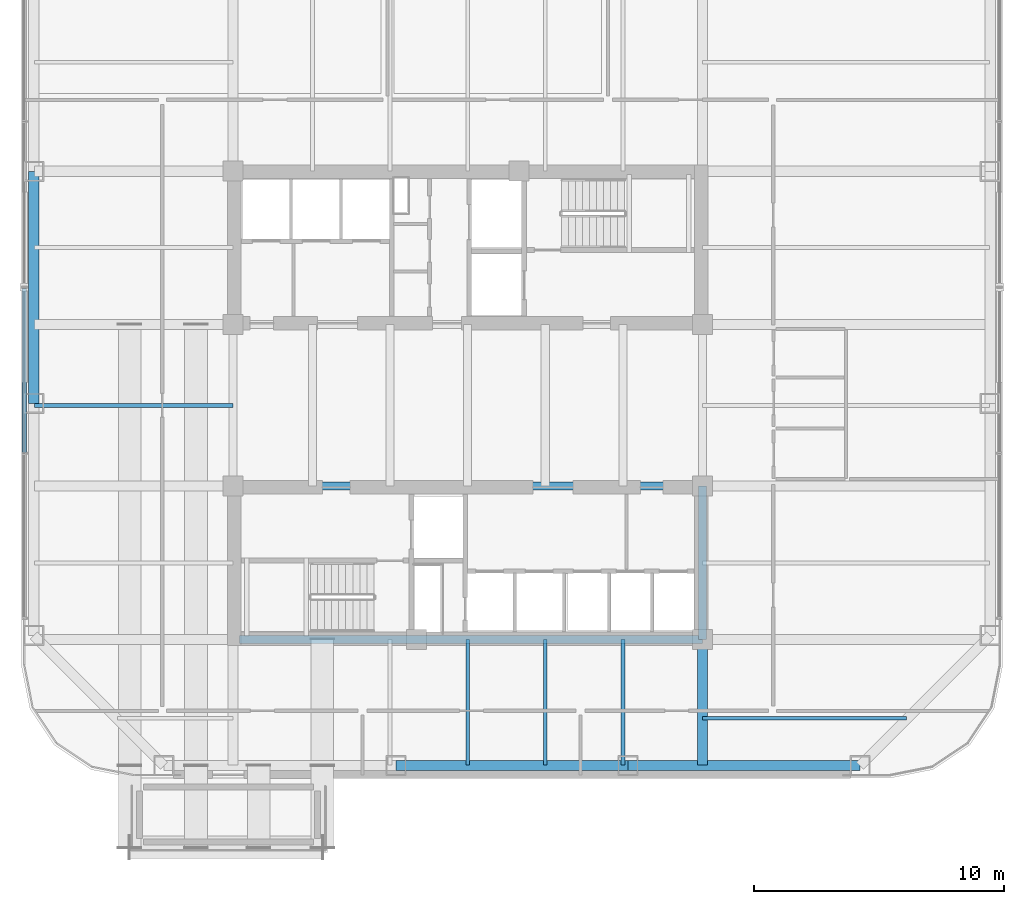
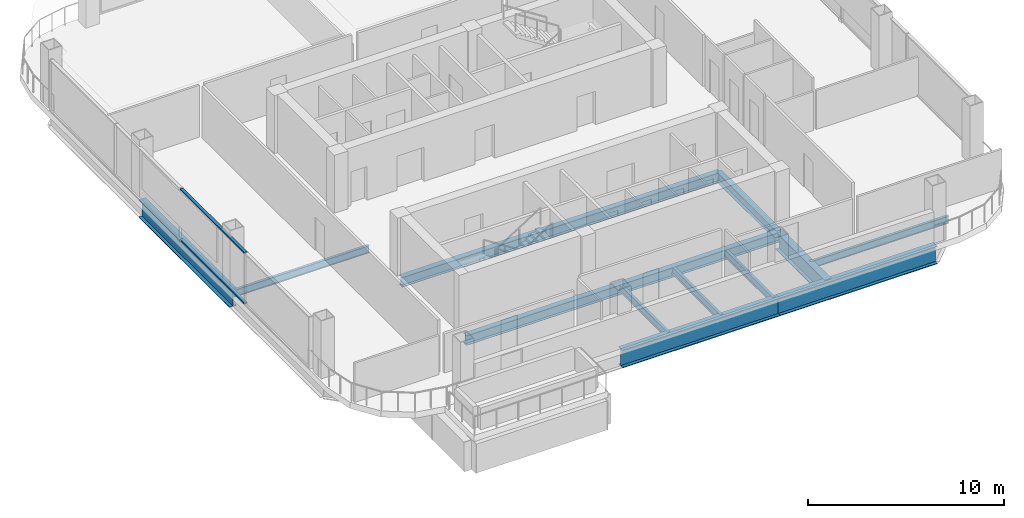
# One storey, part 3 of 20: 12 beams, 2 members, 1 element without a shape of its own.
"""IFC4 building model written with IfcOpenShell, lengths in metres."""

from ifc_helpers import new_model, si_unit, direction, frame, origin, origin_2d, place, context, subcontext, project, spatial, hollow_rectangle, i_section, extrude, material, layer, layer_set, material_profile, profile_set, type_object, element, aggregate, save


model = new_model("IFC4")

# Units and contexts
model_context = context("Model", 3, precision=1e-05, world=origin(), true_north=direction((0.0, 1.0)))
body_context = subcontext(model_context, "Body", "Model", "MODEL_VIEW")
ifc_project = project(units=[si_unit("LENGTHUNIT", "METRE"), si_unit("AREAUNIT", "SQUARE_METRE"), si_unit("VOLUMEUNIT", "CUBIC_METRE"), si_unit("PLANEANGLEUNIT", "RADIAN"), si_unit("MASSUNIT", "GRAM", prefix="KILO")], contexts=[model_context])

# Site, building, storey
site_placement = place(None, origin())
site = spatial("IfcSite", under=ifc_project, at=site_placement, CompositionType="ELEMENT")
building_placement = place(site_placement, origin())
building = spatial("IfcBuilding", under=site, at=building_placement, Name="Qhalaya Broadcast Tower", CompositionType="ELEMENT")
storey_placement = place(building_placement, frame((0.0, 0.0, 104.85009765625)))
storey = spatial("IfcBuildingStorey", under=building, at=storey_placement, Name="L30", CompositionType="ELEMENT", Elevation=104.85009765625)

# Beams
ifc_material_1 = material(Name="Structural Steel ASTM A992 Grade 50", Category="steel")
ifc_material_profile_1 = material_profile(ifc_material_1, i_section(OverallWidth=0.154052734375, OverallDepth=0.458984375, WebThickness=0.009033203125, FlangeThickness=0.015380859375, at=origin_2d()), Name="W18X46")
ifc_profile_set_1 = profile_set([ifc_material_profile_1], Name="Structural Steel ASTM A992 Grade 50")
beam_type_1 = type_object("IfcBeamType", Name="Composite Floor Joist J04", PredefinedType="JOIST", material=ifc_profile_set_1)
for number, where, z_axis, x_axis, name in (
    (1, (0.0, -13.77001953125, -0.609619140625), (0.0, 1.0, 0.0), (-1.0, 0.0, 0.0), "L30 J04 L30-JNS3-1"),
    (2, (3.10009765625, -13.77001953125, -0.609619140625), (0.0, 1.0, 0.0), (-1.0, 0.0, 0.0), "L30 J04 L30-JNS4-1"),
    (3, (6.199951171875, -13.77001953125, -0.609619140625), (0.0, 1.0, 0.0), (-1.0, 0.0, 0.0), "L30 J04 L30-JNS5-1"),
):
    element("IfcBeam", number, at=place(storey_placement, frame(where, z_axis=z_axis, x_axis=x_axis)), inside=storey, type_object=beam_type_1, Name=name, PredefinedType="JOIST", context=body_context, shape_type="SweptSolid", body=[
        extrude(i_section(OverallWidth=0.154052734375, OverallDepth=0.458984375, WebThickness=0.009033203125, FlangeThickness=0.015380859375, at=origin_2d()), origin(), (0.0, 0.0, 1.0), 5.02001953125),
    ])
beam_1_placement = place(storey_placement, frame((9.375, -11.89990234375, -0.609619140625), z_axis=(1.0, 0.0, 0.0), x_axis=(0.0, 1.0, 0.0)))
element("IfcBeam", 4, at=beam_1_placement, inside=storey, type_object=beam_type_1, Name="L30 J04 L30-JWE2E-1", PredefinedType="JOIST", context=body_context, shape_type="SweptSolid", body=[
    extrude(i_section(OverallWidth=0.154052734375, OverallDepth=0.458984375, WebThickness=0.009033203125, FlangeThickness=0.015380859375, at=origin_2d()), origin(), (0.0, 0.0, 1.0), 8.15673828125),
])
beam_2_placement = place(storey_placement, frame((-17.31005859375, 0.60009765625, -0.609619140625), z_axis=(1.0, 0.0, 0.0), x_axis=(0.0, 1.0, 0.0)))
element("IfcBeam", 5, at=beam_2_placement, inside=storey, type_object=beam_type_1, Name="L30 J04 L30-JWE4W-1", PredefinedType="JOIST", context=body_context, shape_type="SweptSolid", body=[
    extrude(i_section(OverallWidth=0.154052734375, OverallDepth=0.458984375, WebThickness=0.009033203125, FlangeThickness=0.015380859375, at=origin_2d()), origin(), (0.0, 0.0, 1.0), 7.93505859375),
])
ifc_material_profile_2 = material_profile(ifc_material_1, i_section(OverallWidth=0.323974609375, OverallDepth=0.612060546875, WebThickness=0.0126953125, FlangeThickness=0.01904296875, at=origin_2d()), Name="W24X104")
ifc_profile_set_2 = profile_set([ifc_material_profile_2], Name="Structural Steel ASTM A992 Grade 50")
beam_type_2 = type_object("IfcBeamType", Name="Core Frame Tie Beam B04", PredefinedType="BEAM", material=ifc_profile_set_2)
beam_3_placement = place(storey_placement, frame((-9.375, -2.625, -0.68603515625), z_axis=(1.0, 0.0, 0.0), x_axis=(0.0, 1.0, 0.0)))
element("IfcBeam", 6, at=beam_3_placement, inside=storey, type_object=beam_type_2, Name="L30 B04 L30-CCS1", PredefinedType="BEAM", context=body_context, shape_type="SweptSolid", body=[
    extrude(i_section(OverallWidth=0.323974609375, OverallDepth=0.612060546875, WebThickness=0.0126953125, FlangeThickness=0.01904296875, at=origin_2d()), origin(), (0.0, 0.0, 1.0), 18.75),
])
beam_4_placement = place(storey_placement, frame((9.375, -8.75, -0.68603515625), z_axis=(0.0, 1.0, 0.0), x_axis=(-1.0, 0.0, 0.0)))
element("IfcBeam", 7, at=beam_4_placement, inside=storey, type_object=beam_type_2, Name="L30 B04 L30-CCS2", PredefinedType="BEAM", context=body_context, shape_type="SweptSolid", body=[
    extrude(i_section(OverallWidth=0.323974609375, OverallDepth=0.612060546875, WebThickness=0.0126953125, FlangeThickness=0.01904296875, at=origin_2d()), origin(), (0.0, 0.0, 1.0), 6.125),
])
beam_5_placement = place(storey_placement, frame((-9.1201171875, -8.75, -0.68603515625), z_axis=(1.0, 0.0, 0.0), x_axis=(0.0, 1.0, 0.0)))
element("IfcBeam", 8, at=beam_5_placement, inside=storey, type_object=beam_type_2, Name="L30 B04 L30-CCS3", PredefinedType="BEAM", context=body_context, shape_type="SweptSolid", body=[
    extrude(i_section(OverallWidth=0.323974609375, OverallDepth=0.612060546875, WebThickness=0.0126953125, FlangeThickness=0.01904296875, at=origin_2d()), origin(), (0.0, 0.0, 1.0), 18.4951171875),
])
ifc_material_profile_3 = material_profile(ifc_material_1, i_section(OverallWidth=0.404052734375, OverallDepth=1.117919921875, WebThickness=0.026123046875, FlangeThickness=0.044921875, at=origin_2d()), Name="W44X335")
ifc_profile_set_3 = profile_set([ifc_material_profile_3], Name="Structural Steel ASTM A992 Grade 50")
beam_type_3 = type_object("IfcBeamType", Name="Podium Long-Span Primary Girder PG1", PredefinedType="USERDEFINED", material=ifc_profile_set_3)
for number, where, z_axis, x_axis, name in (
    (9, (-2.86328125, -13.7900390625, -0.939208984375), (1.0, 0.0, 0.0), (0.0, 1.0, 0.0), "L30 PG1 L30-SPR-02"),
    (10, (6.4033203125, -13.7900390625, -0.939208984375), (1.0, 0.0, 0.0), (0.0, 1.0, 0.0), "L30 PG1 L30-SPR-03"),
    (11, (-17.330078125, 9.943359375, -0.939208984375), (0.0, -1.0, 0.0), (1.0, 0.0, 0.0), "L30 PG1 L30-SPR-14"),
):
    element("IfcBeam", number, at=place(storey_placement, frame(where, z_axis=z_axis, x_axis=x_axis)), inside=storey, type_object=beam_type_3, Name=name, ObjectType="GIRDER", PredefinedType="USERDEFINED", context=body_context, shape_type="SweptSolid", body=[
        extrude(i_section(OverallWidth=0.404052734375, OverallDepth=1.117919921875, WebThickness=0.026123046875, FlangeThickness=0.044921875, at=origin_2d()), origin(), (0.0, 0.0, 1.0), 9.2666015625),
    ])
beam_6_placement = place(storey_placement, frame((9.375, -13.77001953125, -0.939208984375), z_axis=(0.0, 1.0, 0.0), x_axis=(-1.0, 0.0, 0.0)))
element("IfcBeam", 12, at=beam_6_placement, inside=storey, type_object=beam_type_3, Name="L30 PG1 L30-PGXS2-1", ObjectType="GIRDER", PredefinedType="USERDEFINED", context=body_context, shape_type="SweptSolid", body=[
    extrude(i_section(OverallWidth=0.404052734375, OverallDepth=1.117919921875, WebThickness=0.026123046875, FlangeThickness=0.044921875, at=origin_2d()), origin(), (0.0, 0.0, 1.0), 5.02001953125),
])

# Curtain wall, members
ifc_material_2 = material(Name="Solar-Control Low-E Triple Glazing", Category="glass")
ifc_layer = layer(ifc_material_2, 0.219970703125, Name="Solar-Control Low-E Triple Glazing")
ifc_layer_set = layer_set([ifc_layer], Name="Solar-Control Low-E Triple Glazing")
curtain_wall_type = type_object("IfcCurtainWallType", Name="Recessed Sky-Garden Neck Ribbon Curtain Wall CW-05", PredefinedType="NOTDEFINED", material=ifc_layer_set)
curtain_wall_placement = place(storey_placement, origin())
curtain_wall = element("IfcCurtainWall", 13, at=curtain_wall_placement, inside=storey, type_object=curtain_wall_type, Name="L30 Unitised Curtain Wall L30-CW-W", PredefinedType="NOTDEFINED")
ifc_material_3 = material(Name="Anodised Aluminium 6063-T6", Category="aluminium")
ifc_material_profile_4 = material_profile(ifc_material_3, hollow_rectangle(XDim=0.074951171875, YDim=0.179931640625, WallThickness=0.00390625, at=origin_2d()), Name="ALU-TRN 75x180x4")
ifc_profile_set_4 = profile_set([ifc_material_profile_4], Name="Anodised Aluminium 6063-T6")
member_type = type_object("IfcMemberType", Name="Unitised Curtain-Wall Transom T01", PredefinedType="USERDEFINED", material=ifc_profile_set_4)
member_1_placement = place(storey_placement, frame((-17.7099609375, 5.2724609375, 0.037353515625), z_axis=(0.0, -1.0, 0.0), x_axis=(0.0, 0.0, 1.0)))
member_1 = element("IfcMember", 14, at=member_1_placement, type_object=member_type, Name="CW-05 transom 3.1", ObjectType="TRANSOM", PredefinedType="USERDEFINED", context=body_context, shape_type="SweptSolid", body=[
    extrude(hollow_rectangle(XDim=0.074951171875, YDim=0.179931640625, WallThickness=0.00390625, at=origin_2d()), origin(), (0.0, 0.0, 1.0), 6.550048828125),
])
member_2_placement = place(storey_placement, frame((-17.7099609375, 5.2724609375, 3.182373046875), z_axis=(0.0, -1.0, 0.0), x_axis=(0.0, 0.0, 1.0)))
member_2 = element("IfcMember", 15, at=member_2_placement, type_object=member_type, Name="CW-05 transom 3.2", ObjectType="TRANSOM", PredefinedType="USERDEFINED", context=body_context, shape_type="SweptSolid", body=[
    extrude(hollow_rectangle(XDim=0.074951171875, YDim=0.179931640625, WallThickness=0.00390625, at=origin_2d()), origin(), (0.0, 0.0, 1.0), 6.550048828125),
])
aggregate(curtain_wall, [member_1, member_2])

save(model, "model.ifc")
